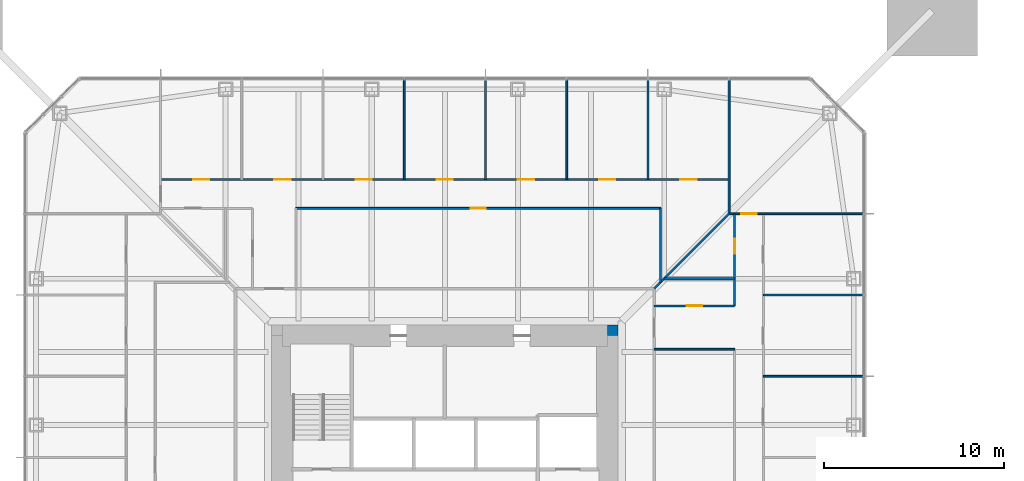
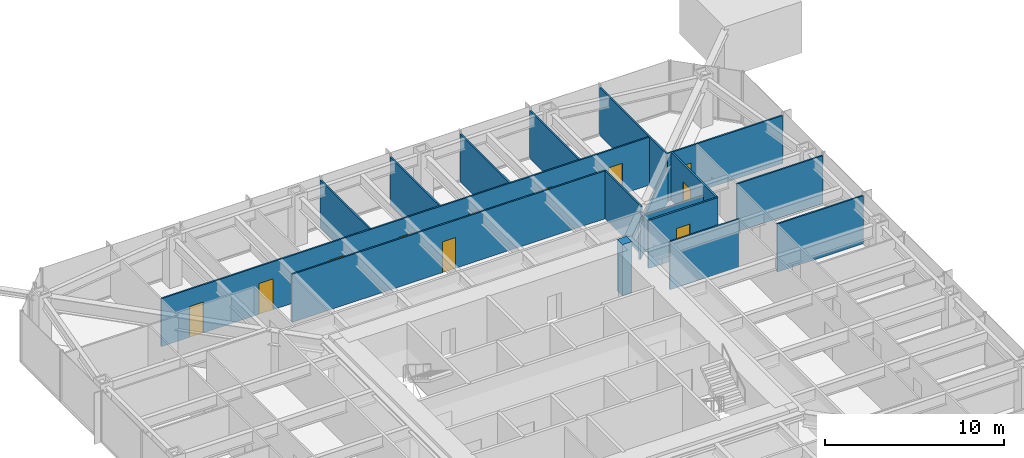
# One storey, part 17 of 26: 17 walls, 11 doors, 11 openings.
"""IFC4 building model written with IfcOpenShell, lengths in metres."""

from ifc_helpers import new_model, si_unit, direction, frame, frame_2d, origin, place, context, subcontext, project, spatial, rectangle, extrude, material, layer, layer_set, type_object, element, fill, save


model = new_model("IFC4")

# Units and contexts
model_context = context("Model", 3, precision=1e-05, world=origin(), true_north=direction((0.0, 1.0)))
body_context = subcontext(model_context, "Body", "Model", "MODEL_VIEW")
ifc_project = project(units=[si_unit("LENGTHUNIT", "METRE"), si_unit("AREAUNIT", "SQUARE_METRE"), si_unit("VOLUMEUNIT", "CUBIC_METRE"), si_unit("PLANEANGLEUNIT", "RADIAN"), si_unit("MASSUNIT", "GRAM", prefix="KILO")], contexts=[model_context])

# Site, building, storey
site_placement = place(None, origin())
site = spatial("IfcSite", under=ifc_project, at=site_placement, CompositionType="ELEMENT")
building_placement = place(site_placement, origin())
building = spatial("IfcBuilding", under=site, at=building_placement, Name="Iwan Alto Co-Living Towers", CompositionType="ELEMENT")
storey_placement = place(building_placement, frame((0.0, 0.0, 18.5)))
storey = spatial("IfcBuildingStorey", under=building, at=storey_placement, Name="L04", CompositionType="ELEMENT", Elevation=18.5)

# Walls
ifc_material_1 = material(Name="Gypsum board")
ifc_layer_1 = layer(ifc_material_1, 0.012451171875, Name="Board", Category="Finish")
ifc_material_2 = material(Name="Steel ASTM A1003 ST33H cold-formed studs", Category="steel")
ifc_layer_2 = layer(ifc_material_2, 0.074951171875, Name="Studs", Category="Framing")
ifc_layer_3 = layer(ifc_material_1, 0.012451171875, Name="Board", Category="Finish")
ifc_layer_set_1 = layer_set([ifc_layer_1, ifc_layer_2, ifc_layer_3], Name="PARTITION 100")
wall_type_1 = type_object("IfcWallType", Name="PARTITION 100", PredefinedType="PARTITIONING", material=ifc_layer_set_1)
wall_1_placement = place(storey_placement, frame((17.64990234375, 6.75, 0.0), z_axis=(0.0, 0.0, 1.0), x_axis=(1.0, 0.0, 0.0)))
element("IfcWall", 1, at=wall_1_placement, inside=storey, type_object=wall_type_1, Name="Partition L04", PredefinedType="PARTITIONING", context=body_context, shape_type="SweptSolid", body=[
    extrude(rectangle(XDim=5.5400390625, YDim=0.10009765625, at=frame_2d((2.77001953125, 0.0))), origin(), (0.0, 0.0, 1.0), 3.27001953125),
])
wall_2_placement = place(storey_placement, frame((11.60009765625, 8.25, 0.0), z_axis=(0.0, 0.0, 1.0), x_axis=(1.0, 0.0, 0.0)))
element("IfcWall", 2, at=wall_2_placement, inside=storey, type_object=wall_type_1, Name="Partition L04", PredefinedType="PARTITIONING", context=body_context, shape_type="SweptSolid", body=[
    extrude(rectangle(XDim=4.449951171875, YDim=0.10009765625, at=frame_2d((2.22509765625, 0.0))), origin(), (0.0, 0.0, 1.0), 3.27001953125),
])
wall_3_placement = place(storey_placement, frame((17.64990234375, 11.25, 0.0), z_axis=(0.0, 0.0, 1.0), x_axis=(1.0, 0.0, 0.0)))
element("IfcWall", 3, at=wall_3_placement, inside=storey, type_object=wall_type_1, Name="Partition L04", PredefinedType="PARTITIONING", context=body_context, shape_type="SweptSolid", body=[
    extrude(rectangle(XDim=5.5400390625, YDim=0.10009765625, at=frame_2d((2.77001953125, 0.0))), origin(), (0.0, 0.0, 1.0), 3.27001953125),
])

# Wall, opening, door
wall_4_placement = place(storey_placement, frame((15.75, 15.75, 0.0), z_axis=(0.0, 0.0, 1.0), x_axis=(1.0, 0.0, 0.0)))
wall_4 = element("IfcWall", 4, at=wall_4_placement, inside=storey, type_object=wall_type_1, Name="Partition L04", PredefinedType="PARTITIONING", context=body_context, shape_type="SweptSolid", body=[
    extrude(rectangle(XDim=7.43994140625, YDim=0.10009765625, at=frame_2d((3.719970703125, 0.0))), origin(), (0.0, 0.0, 1.0), 3.27001953125),
])
opening_1_placement = place(wall_4_placement, frame((0.675048828125, 0.0, 0.0)))
opening_1 = element("IfcOpeningElement", 5, at=opening_1_placement, cuts=wall_4, Name="Opening D2", PredefinedType="OPENING", context=body_context, shape_type="SweptSolid", body=[
    extrude(rectangle(XDim=0.85009765625, YDim=2.10009765625, at=frame_2d((0.425048828125, 1.050048828125))), frame((0.0, 0.06005859375, 0.0), z_axis=(0.0, -1.0, 0.0), x_axis=(1.0, 0.0, 0.0)), (0.0, 0.0, 1.0), 0.1201171875),
])
ifc_material_3 = material(Name="Timber leaf in steel frame", Category="steel")
door_type_1 = type_object("IfcDoorType", Name="ROOM DOOR 850X2100", OperationType="SINGLE_SWING_LEFT", PredefinedType="DOOR", material=ifc_material_3)
door_1_placement = place(opening_1_placement, frame((0.85009765625, 0.0, 0.0), z_axis=(0.0, 0.0, 1.0), x_axis=(-1.0, 0.0, 0.0)))
door_1 = element("IfcDoor", 6, at=door_1_placement, inside=storey, type_object=door_type_1, Name="Shared kitchen and lounge door L04", OperationType="SINGLE_SWING_RIGHT", OverallHeight=2.10009765625, OverallWidth=0.85009765625, PredefinedType="DOOR", context=body_context, shape_type="SweptSolid", body=[
    extrude(rectangle(XDim=0.85009765625, YDim=2.10009765625, at=frame_2d((0.425048828125, 1.050048828125))), frame((0.0, 0.02490234375, 0.0), z_axis=(0.0, -1.0, 0.0), x_axis=(1.0, 0.0, 0.0)), (0.0, 0.0, 1.0), 0.050048828125),
])
fill(opening_1, door_1)

wall_5_placement = place(storey_placement, frame((-8.25, 16.050048828125, 0.0), z_axis=(0.0, 0.0, 1.0), x_axis=(1.0, 0.0, 0.0)))
wall_5 = element("IfcWall", 7, at=wall_5_placement, inside=storey, type_object=wall_type_1, Name="Partition L04", PredefinedType="PARTITIONING", context=body_context, shape_type="SweptSolid", body=[
    extrude(rectangle(XDim=20.199951171875, YDim=0.10009765625, at=frame_2d((10.10009765625, 0.0))), origin(), (0.0, 0.0, 1.0), 3.27001953125),
])
opening_2_placement = place(wall_5_placement, frame((9.675048828125, 0.0, 0.0)))
opening_2 = element("IfcOpeningElement", 8, at=opening_2_placement, cuts=wall_5, Name="Opening D2", PredefinedType="OPENING", context=body_context, shape_type="SweptSolid", body=[
    extrude(rectangle(XDim=0.85009765625, YDim=2.10009765625, at=frame_2d((0.425048828125, 1.050048828125))), frame((0.0, 0.06005859375, 0.0), z_axis=(0.0, -1.0, 0.0), x_axis=(1.0, 0.0, 0.0)), (0.0, 0.0, 1.0), 0.1201171875),
])
door_2_placement = place(opening_2_placement, frame((0.85009765625, 0.0, 0.0), z_axis=(0.0, 0.0, 1.0), x_axis=(-1.0, 0.0, 0.0)))
door_2 = element("IfcDoor", 9, at=door_2_placement, inside=storey, type_object=door_type_1, Name="Study lounge door L04", OperationType="SINGLE_SWING_RIGHT", OverallHeight=2.10009765625, OverallWidth=0.85009765625, PredefinedType="DOOR", context=body_context, shape_type="SweptSolid", body=[
    extrude(rectangle(XDim=0.85009765625, YDim=2.10009765625, at=frame_2d((0.425048828125, 1.050048828125))), frame((0.0, 0.02490234375, 0.0), z_axis=(0.0, -1.0, 0.0), x_axis=(1.0, 0.0, 0.0)), (0.0, 0.0, 1.0), 0.050048828125),
])
fill(opening_2, door_2)

# Wall, openings, doors
wall_6_placement = place(storey_placement, frame((-15.75, 17.64990234375, 0.0), z_axis=(0.0, 0.0, 1.0), x_axis=(1.0, 0.0, 0.0)))
wall_6 = element("IfcWall", 10, at=wall_6_placement, inside=storey, type_object=wall_type_1, Name="Partition L04", PredefinedType="PARTITIONING", context=body_context, shape_type="SweptSolid", body=[
    extrude(rectangle(XDim=31.5, YDim=0.10009765625, at=frame_2d((15.75, 0.0))), origin(), (0.0, 0.0, 1.0), 3.27001953125),
])
opening_3_placement = place(wall_6_placement, frame((28.800048828125, 0.0, 0.0)))
opening_3 = element("IfcOpeningElement", 11, at=opening_3_placement, cuts=wall_6, Name="Opening D1", PredefinedType="OPENING", context=body_context, shape_type="SweptSolid", body=[
    extrude(rectangle(XDim=0.89990234375, YDim=2.10009765625, at=frame_2d((0.449951171875, 1.050048828125))), frame((0.0, 0.06005859375, 0.0), z_axis=(0.0, -1.0, 0.0), x_axis=(1.0, 0.0, 0.0)), (0.0, 0.0, 1.0), 0.1201171875),
])
opening_4_placement = place(wall_6_placement, frame((24.300048828125, 0.0, 0.0)))
opening_4 = element("IfcOpeningElement", 12, at=opening_4_placement, cuts=wall_6, Name="Opening D1", PredefinedType="OPENING", context=body_context, shape_type="SweptSolid", body=[
    extrude(rectangle(XDim=0.89990234375, YDim=2.10009765625, at=frame_2d((0.449951171875, 1.050048828125))), frame((0.0, 0.06005859375, 0.0), z_axis=(0.0, -1.0, 0.0), x_axis=(1.0, 0.0, 0.0)), (0.0, 0.0, 1.0), 0.1201171875),
])
opening_5_placement = place(wall_6_placement, frame((19.800048828125, 0.0, 0.0)))
opening_5 = element("IfcOpeningElement", 13, at=opening_5_placement, cuts=wall_6, Name="Opening D1", PredefinedType="OPENING", context=body_context, shape_type="SweptSolid", body=[
    extrude(rectangle(XDim=0.89990234375, YDim=2.10009765625, at=frame_2d((0.449951171875, 1.050048828125))), frame((0.0, 0.06005859375, 0.0), z_axis=(0.0, -1.0, 0.0), x_axis=(1.0, 0.0, 0.0)), (0.0, 0.0, 1.0), 0.1201171875),
])
opening_6_placement = place(wall_6_placement, frame((15.300048828125, 0.0, 0.0)))
opening_6 = element("IfcOpeningElement", 14, at=opening_6_placement, cuts=wall_6, Name="Opening D1", PredefinedType="OPENING", context=body_context, shape_type="SweptSolid", body=[
    extrude(rectangle(XDim=0.89990234375, YDim=2.10009765625, at=frame_2d((0.449951171875, 1.050048828125))), frame((0.0, 0.06005859375, 0.0), z_axis=(0.0, -1.0, 0.0), x_axis=(1.0, 0.0, 0.0)), (0.0, 0.0, 1.0), 0.1201171875),
])
opening_7_placement = place(wall_6_placement, frame((10.800048828125, 0.0, 0.0)))
opening_7 = element("IfcOpeningElement", 15, at=opening_7_placement, cuts=wall_6, Name="Opening D1", PredefinedType="OPENING", context=body_context, shape_type="SweptSolid", body=[
    extrude(rectangle(XDim=0.89990234375, YDim=2.10009765625, at=frame_2d((0.449951171875, 1.050048828125))), frame((0.0, 0.06005859375, 0.0), z_axis=(0.0, -1.0, 0.0), x_axis=(1.0, 0.0, 0.0)), (0.0, 0.0, 1.0), 0.1201171875),
])
opening_8_placement = place(wall_6_placement, frame((6.300048828125, 0.0, 0.0)))
opening_8 = element("IfcOpeningElement", 16, at=opening_8_placement, cuts=wall_6, Name="Opening D1", PredefinedType="OPENING", context=body_context, shape_type="SweptSolid", body=[
    extrude(rectangle(XDim=0.89990234375, YDim=2.10009765625, at=frame_2d((0.449951171875, 1.050048828125))), frame((0.0, 0.06005859375, 0.0), z_axis=(0.0, -1.0, 0.0), x_axis=(1.0, 0.0, 0.0)), (0.0, 0.0, 1.0), 0.1201171875),
])
opening_9_placement = place(wall_6_placement, frame((1.800048828125, 0.0, 0.0)))
opening_9 = element("IfcOpeningElement", 17, at=opening_9_placement, cuts=wall_6, Name="Opening D1", PredefinedType="OPENING", context=body_context, shape_type="SweptSolid", body=[
    extrude(rectangle(XDim=0.89990234375, YDim=2.10009765625, at=frame_2d((0.449951171875, 1.050048828125))), frame((0.0, 0.06005859375, 0.0), z_axis=(0.0, -1.0, 0.0), x_axis=(1.0, 0.0, 0.0)), (0.0, 0.0, 1.0), 0.1201171875),
])
ifc_material_4 = material(Name="Timber leaf in steel frame", Category="steel")
door_type_2 = type_object("IfcDoorType", Name="BEDROOM DOOR 900X2100", OperationType="SINGLE_SWING_LEFT", PredefinedType="DOOR", material=ifc_material_4)
door_3_placement = place(opening_3_placement, frame((0.89990234375, 0.0, 0.0), z_axis=(0.0, 0.0, 1.0), x_axis=(-1.0, 0.0, 0.0)))
door_3 = element("IfcDoor", 18, at=door_3_placement, inside=storey, type_object=door_type_2, Name="Study bedroom door L04", OperationType="SINGLE_SWING_LEFT", OverallHeight=2.10009765625, OverallWidth=0.89990234375, PredefinedType="DOOR", context=body_context, shape_type="SweptSolid", body=[
    extrude(rectangle(XDim=0.89990234375, YDim=2.10009765625, at=frame_2d((0.449951171875, 1.050048828125))), frame((0.0, 0.02490234375, 0.0), z_axis=(0.0, -1.0, 0.0), x_axis=(1.0, 0.0, 0.0)), (0.0, 0.0, 1.0), 0.050048828125),
])
fill(opening_3, door_3)
door_4_placement = place(opening_4_placement, frame((0.89990234375, 0.0, 0.0), z_axis=(0.0, 0.0, 1.0), x_axis=(-1.0, 0.0, 0.0)))
door_4 = element("IfcDoor", 19, at=door_4_placement, inside=storey, type_object=door_type_2, Name="Study bedroom door L04", OperationType="SINGLE_SWING_LEFT", OverallHeight=2.10009765625, OverallWidth=0.89990234375, PredefinedType="DOOR", context=body_context, shape_type="SweptSolid", body=[
    extrude(rectangle(XDim=0.89990234375, YDim=2.10009765625, at=frame_2d((0.449951171875, 1.050048828125))), frame((0.0, 0.02490234375, 0.0), z_axis=(0.0, -1.0, 0.0), x_axis=(1.0, 0.0, 0.0)), (0.0, 0.0, 1.0), 0.050048828125),
])
fill(opening_4, door_4)
door_5_placement = place(opening_5_placement, frame((0.89990234375, 0.0, 0.0), z_axis=(0.0, 0.0, 1.0), x_axis=(-1.0, 0.0, 0.0)))
door_5 = element("IfcDoor", 20, at=door_5_placement, inside=storey, type_object=door_type_2, Name="Study bedroom door L04", OperationType="SINGLE_SWING_LEFT", OverallHeight=2.10009765625, OverallWidth=0.89990234375, PredefinedType="DOOR", context=body_context, shape_type="SweptSolid", body=[
    extrude(rectangle(XDim=0.89990234375, YDim=2.10009765625, at=frame_2d((0.449951171875, 1.050048828125))), frame((0.0, 0.02490234375, 0.0), z_axis=(0.0, -1.0, 0.0), x_axis=(1.0, 0.0, 0.0)), (0.0, 0.0, 1.0), 0.050048828125),
])
fill(opening_5, door_5)
door_6_placement = place(opening_6_placement, frame((0.89990234375, 0.0, 0.0), z_axis=(0.0, 0.0, 1.0), x_axis=(-1.0, 0.0, 0.0)))
door_6 = element("IfcDoor", 21, at=door_6_placement, inside=storey, type_object=door_type_2, Name="Study bedroom door L04", OperationType="SINGLE_SWING_RIGHT", OverallHeight=2.10009765625, OverallWidth=0.89990234375, PredefinedType="DOOR", context=body_context, shape_type="SweptSolid", body=[
    extrude(rectangle(XDim=0.89990234375, YDim=2.10009765625, at=frame_2d((0.449951171875, 1.050048828125))), frame((0.0, 0.02490234375, 0.0), z_axis=(0.0, -1.0, 0.0), x_axis=(1.0, 0.0, 0.0)), (0.0, 0.0, 1.0), 0.050048828125),
])
fill(opening_6, door_6)
door_7_placement = place(opening_7_placement, frame((0.89990234375, 0.0, 0.0), z_axis=(0.0, 0.0, 1.0), x_axis=(-1.0, 0.0, 0.0)))
door_7 = element("IfcDoor", 22, at=door_7_placement, inside=storey, type_object=door_type_2, Name="Study bedroom door L04", OperationType="SINGLE_SWING_RIGHT", OverallHeight=2.10009765625, OverallWidth=0.89990234375, PredefinedType="DOOR", context=body_context, shape_type="SweptSolid", body=[
    extrude(rectangle(XDim=0.89990234375, YDim=2.10009765625, at=frame_2d((0.449951171875, 1.050048828125))), frame((0.0, 0.02490234375, 0.0), z_axis=(0.0, -1.0, 0.0), x_axis=(1.0, 0.0, 0.0)), (0.0, 0.0, 1.0), 0.050048828125),
])
fill(opening_7, door_7)
door_8_placement = place(opening_8_placement, frame((0.89990234375, 0.0, 0.0), z_axis=(0.0, 0.0, 1.0), x_axis=(-1.0, 0.0, 0.0)))
door_8 = element("IfcDoor", 23, at=door_8_placement, inside=storey, type_object=door_type_2, Name="Study bedroom door L04", OperationType="SINGLE_SWING_RIGHT", OverallHeight=2.10009765625, OverallWidth=0.89990234375, PredefinedType="DOOR", context=body_context, shape_type="SweptSolid", body=[
    extrude(rectangle(XDim=0.89990234375, YDim=2.10009765625, at=frame_2d((0.449951171875, 1.050048828125))), frame((0.0, 0.02490234375, 0.0), z_axis=(0.0, -1.0, 0.0), x_axis=(1.0, 0.0, 0.0)), (0.0, 0.0, 1.0), 0.050048828125),
])
fill(opening_8, door_8)
door_9_placement = place(opening_9_placement, frame((0.89990234375, 0.0, 0.0), z_axis=(0.0, 0.0, 1.0), x_axis=(-1.0, 0.0, 0.0)))
door_9 = element("IfcDoor", 24, at=door_9_placement, inside=storey, type_object=door_type_2, Name="Study bedroom door L04", OperationType="SINGLE_SWING_RIGHT", OverallHeight=2.10009765625, OverallWidth=0.89990234375, PredefinedType="DOOR", context=body_context, shape_type="SweptSolid", body=[
    extrude(rectangle(XDim=0.89990234375, YDim=2.10009765625, at=frame_2d((0.449951171875, 1.050048828125))), frame((0.0, 0.02490234375, 0.0), z_axis=(0.0, -1.0, 0.0), x_axis=(1.0, 0.0, 0.0)), (0.0, 0.0, 1.0), 0.050048828125),
])
fill(opening_9, door_9)

# Walls
wall_7_placement = place(storey_placement, frame((15.75, 15.75, 0.0), z_axis=(0.0, 0.0, 1.0), x_axis=(0.0, 1.0, 0.0)))
element("IfcWall", 25, at=wall_7_placement, inside=storey, type_object=wall_type_1, Name="Partition L04", PredefinedType="PARTITIONING", context=body_context, shape_type="SweptSolid", body=[
    extrude(rectangle(XDim=7.43994140625, YDim=0.10009765625, at=frame_2d((3.719970703125, 0.0))), origin(), (0.0, 0.0, 1.0), 3.27001953125),
])
wall_8_placement = place(storey_placement, frame((11.949951171875, 11.949951171875, 0.0), z_axis=(0.0, 0.0, 1.0), x_axis=(0.0, 1.0, 0.0)))
element("IfcWall", 26, at=wall_8_placement, inside=storey, type_object=wall_type_1, Name="Partition L04", PredefinedType="PARTITIONING", context=body_context, shape_type="SweptSolid", body=[
    extrude(rectangle(XDim=4.10009765625, YDim=0.10009765625, at=frame_2d((2.050048828125, 0.0))), origin(), (0.0, 0.0, 1.0), 3.27001953125),
])
for number, where, z_axis, x_axis, name in (
    (27, (11.25, 17.64990234375, 0.0), (0.0, 0.0, 1.0), (0.0, 1.0, 0.0), "Partition L04"),
    (28, (6.75, 17.64990234375, 0.0), (0.0, 0.0, 1.0), (0.0, 1.0, 0.0), "Partition L04"),
    (29, (2.25, 17.64990234375, 0.0), (0.0, 0.0, 1.0), (0.0, 1.0, 0.0), "Partition L04"),
    (30, (-2.25, 17.64990234375, 0.0), (0.0, 0.0, 1.0), (0.0, 1.0, 0.0), "Partition L04"),
):
    element("IfcWall", number, at=place(storey_placement, frame(where, z_axis=z_axis, x_axis=x_axis)), inside=storey, type_object=wall_type_1, Name=name, PredefinedType="PARTITIONING", context=body_context, shape_type="SweptSolid", body=[
        extrude(rectangle(XDim=5.5400390625, YDim=0.10009765625, at=frame_2d((2.77001953125, 0.0))), origin(), (0.0, 0.0, 1.0), 3.27001953125),
    ])
ifc_material_5 = material(Name="Concrete f'c 70 MPa", Category="concrete")
ifc_layer_4 = layer(ifc_material_5, 0.60009765625)
ifc_layer_set_2 = layer_set([ifc_layer_4], Name="T1 CORE CORNER FILL 600")
wall_type_2 = type_object("IfcWallType", Name="T1 CORE CORNER FILL 600", PredefinedType="SOLIDWALL", material=ifc_layer_set_2)
wall_9_placement = place(storey_placement, frame((9.0, 9.300048828125, 0.0), z_axis=(0.0, 0.0, 1.0), x_axis=(1.0, 0.0, 0.0)))
element("IfcWall", 31, at=wall_9_placement, inside=storey, type_object=wall_type_2, Name="T1 core corner NE L04", PredefinedType="SOLIDWALL", context=body_context, shape_type="SweptSolid", body=[
    extrude(rectangle(XDim=0.60009765625, YDim=0.60009765625, at=frame_2d((0.300048828125, 0.0))), origin(), (0.0, 0.0, 1.0), 3.5),
])

# Wall, opening, door
ifc_material_6 = material(Name="Cement board")
ifc_layer_5 = layer(ifc_material_6, 0.012451171875, Name="Board", Category="Finish")
ifc_layer_6 = layer(ifc_material_2, 0.094970703125, Name="Studs", Category="Framing")
ifc_layer_7 = layer(ifc_material_6, 0.012451171875, Name="Board", Category="Finish")
ifc_layer_set_3 = layer_set([ifc_layer_5, ifc_layer_6, ifc_layer_7], Name="WET AREA PARTITION 120")
wall_type_3 = type_object("IfcWallType", Name="WET AREA PARTITION 120", PredefinedType="PARTITIONING", material=ifc_layer_set_3)
wall_10_placement = place(storey_placement, frame((11.60009765625, 10.64990234375, 0.0), z_axis=(0.0, 0.0, 1.0), x_axis=(1.0, 0.0, 0.0)))
wall_10 = element("IfcWall", 32, at=wall_10_placement, inside=storey, type_object=wall_type_3, Name="Partition L04", PredefinedType="PARTITIONING", context=body_context, shape_type="SweptSolid", body=[
    extrude(rectangle(XDim=4.449951171875, YDim=0.1201171875, at=frame_2d((2.22509765625, 0.0))), origin(), (0.0, 0.0, 1.0), 3.27001953125),
])
opening_10_placement = place(wall_10_placement, frame((1.800048828125, 0.0, 0.0)))
opening_10 = element("IfcOpeningElement", 33, at=opening_10_placement, cuts=wall_10, Name="Opening D2", PredefinedType="OPENING", context=body_context, shape_type="SweptSolid", body=[
    extrude(rectangle(XDim=0.85009765625, YDim=2.10009765625, at=frame_2d((0.425048828125, 1.050048828125))), frame((0.0, 0.070068359375, 0.0), z_axis=(0.0, -1.0, 0.0), x_axis=(1.0, 0.0, 0.0)), (0.0, 0.0, 1.0), 0.14013671875),
])
door_10_placement = place(opening_10_placement, frame((0.85009765625, 0.0, 0.0), z_axis=(0.0, 0.0, 1.0), x_axis=(-1.0, 0.0, 0.0)))
door_10 = element("IfcDoor", 34, at=door_10_placement, inside=storey, type_object=door_type_1, Name="Bathroom door L04", OperationType="SINGLE_SWING_RIGHT", OverallHeight=2.10009765625, OverallWidth=0.85009765625, PredefinedType="DOOR", context=body_context, shape_type="SweptSolid", body=[
    extrude(rectangle(XDim=0.85009765625, YDim=2.10009765625, at=frame_2d((0.425048828125, 1.050048828125))), frame((0.0, 0.02490234375, 0.0), z_axis=(0.0, -1.0, 0.0), x_axis=(1.0, 0.0, 0.0)), (0.0, 0.0, 1.0), 0.050048828125),
])
fill(opening_10, door_10)

# Walls
wall_11_placement = place(storey_placement, frame((12.14990234375, 12.14990234375, 0.0), z_axis=(0.0, 0.0, 1.0), x_axis=(1.0, 0.0, 0.0)))
element("IfcWall", 35, at=wall_11_placement, inside=storey, type_object=wall_type_3, Name="Partition L04", PredefinedType="PARTITIONING", context=body_context, shape_type="SweptSolid", body=[
    extrude(rectangle(XDim=3.900146484375, YDim=0.1201171875, at=frame_2d((1.9501953125, 0.0))), origin(), (0.0, 0.0, 1.0), 2.508056640625),
])
wall_12_placement = place(storey_placement, frame((11.60009765625, 11.60009765625, 0.0), z_axis=(0.0, 0.0, 1.0), x_axis=(0.707106781187, 0.707106781187, 0.0)))
element("IfcWall", 36, at=wall_12_placement, inside=storey, type_object=wall_type_3, Name="Partition L04", PredefinedType="PARTITIONING", context=body_context, shape_type="SweptSolid", body=[
    extrude(rectangle(XDim=5.868896484375, YDim=0.1201171875, at=frame_2d((2.9345703125, 0.0))), origin(), (0.0, 0.0, 1.0), 2.343017578125),
])

# Wall, opening, door
wall_13_placement = place(storey_placement, frame((16.050048828125, 10.64990234375, 0.0), z_axis=(0.0, 0.0, 1.0), x_axis=(0.0, 1.0, 0.0)))
wall_13 = element("IfcWall", 37, at=wall_13_placement, inside=storey, type_object=wall_type_3, Name="Partition L04", PredefinedType="PARTITIONING", context=body_context, shape_type="SweptSolid", body=[
    extrude(rectangle(XDim=5.10009765625, YDim=0.1201171875, at=frame_2d((2.550048828125, 0.0))), origin(), (0.0, 0.0, 1.0), 3.27001953125),
])
opening_11_placement = place(wall_13_placement, frame((2.875, 0.0, 0.0)))
opening_11 = element("IfcOpeningElement", 38, at=opening_11_placement, cuts=wall_13, Name="Opening D2", PredefinedType="OPENING", context=body_context, shape_type="SweptSolid", body=[
    extrude(rectangle(XDim=0.85009765625, YDim=2.10009765625, at=frame_2d((0.425048828125, 1.050048828125))), frame((0.0, 0.070068359375, 0.0), z_axis=(0.0, -1.0, 0.0), x_axis=(1.0, 0.0, 0.0)), (0.0, 0.0, 1.0), 0.14013671875),
])
door_11_placement = place(opening_11_placement, frame((0.85009765625, 0.0, 0.0), z_axis=(0.0, 0.0, 1.0), x_axis=(-1.0, 0.0, 0.0)))
door_11 = element("IfcDoor", 39, at=door_11_placement, inside=storey, type_object=door_type_1, Name="Accessible bathroom door L04", OperationType="SINGLE_SWING_LEFT", OverallHeight=2.10009765625, OverallWidth=0.85009765625, PredefinedType="DOOR", context=body_context, shape_type="SweptSolid", body=[
    extrude(rectangle(XDim=0.85009765625, YDim=2.10009765625, at=frame_2d((0.425048828125, 1.050048828125))), frame((0.0, 0.02490234375, 0.0), z_axis=(0.0, -1.0, 0.0), x_axis=(1.0, 0.0, 0.0)), (0.0, 0.0, 1.0), 0.050048828125),
])
fill(opening_11, door_11)

save(model, "model.ifc")
